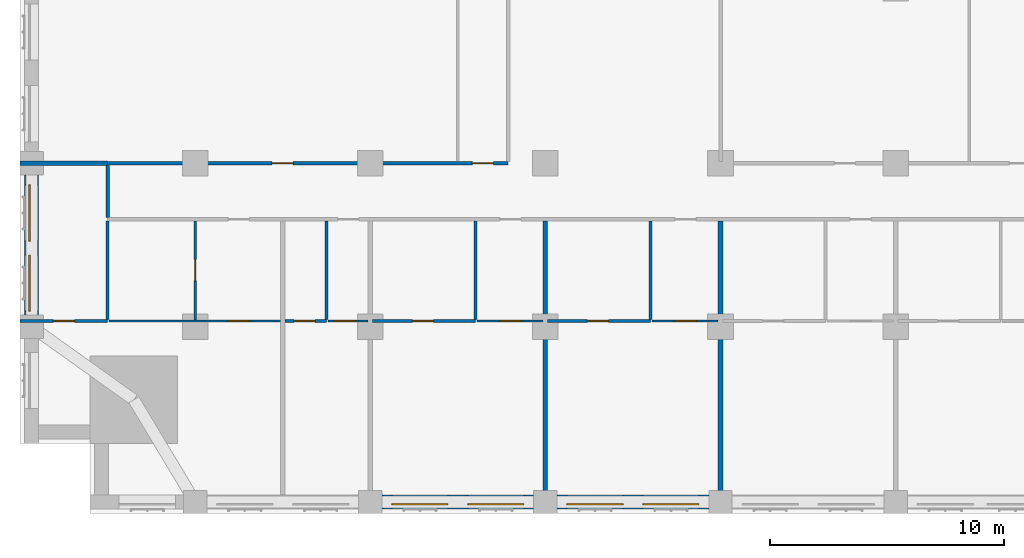
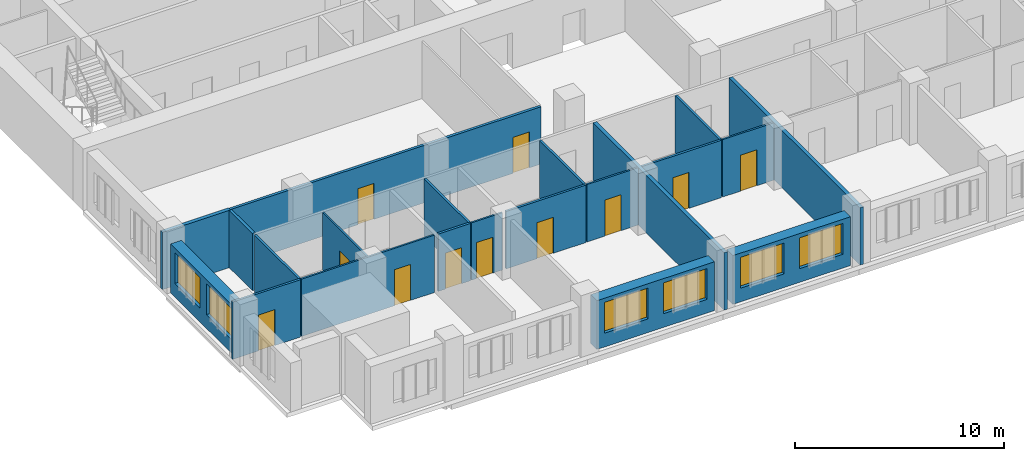
# One storey, part 4 of 14: 21 walls, 11 doors, 6 windows, 17 openings.
"""IFC4 building model written with IfcOpenShell, lengths in metres."""

from ifc_helpers import new_model, si_unit, direction, frame, frame_2d, origin, place, context, subcontext, project, spatial, rectangle, extrude, material, layer, layer_set, type_object, element, fill, save


model = new_model("IFC4")

# Units and contexts
model_context = context("Model", 3, precision=1e-05, world=origin(), true_north=direction((0.0, 1.0)))
body_context = subcontext(model_context, "Body", "Model", "MODEL_VIEW")
ifc_project = project(units=[si_unit("LENGTHUNIT", "METRE"), si_unit("AREAUNIT", "SQUARE_METRE"), si_unit("VOLUMEUNIT", "CUBIC_METRE"), si_unit("PLANEANGLEUNIT", "RADIAN"), si_unit("MASSUNIT", "GRAM", prefix="KILO")], contexts=[model_context])

# Site, building, storey
site_placement = place(None, origin())
site = spatial("IfcSite", under=ifc_project, at=site_placement, CompositionType="ELEMENT")
building_placement = place(site_placement, origin())
building = spatial("IfcBuilding", under=site, at=building_placement, Name="Tamorin Gate", CompositionType="ELEMENT")
storey_placement = place(building_placement, frame((0.0, 0.0, 86.300048828125)))
storey = spatial("IfcBuildingStorey", under=building, at=storey_placement, Name="L20", CompositionType="ELEMENT", Elevation=86.300048828125)

# Wall, openings, windows
ifc_material_1 = material(Name="Precast concrete C40/50", Category="concrete")
ifc_layer_1 = layer(ifc_material_1, 0.60009765625)
ifc_layer_set_1 = layer_set([ifc_layer_1], Name="Precast concrete C40/50")
wall_type_1 = type_object("IfcWallType", Name="Board-marked concrete facade panel 600", PredefinedType="SOLIDWALL", material=ifc_layer_set_1)
wall_1_placement = place(storey_placement, frame((45.5, 38.0, 0.0), z_axis=(0.0, 0.0, 1.0), x_axis=(1.0, 0.0, 0.0)))
wall_1 = element("IfcWall", 1, at=wall_1_placement, inside=storey, type_object=wall_type_1, Name="Facade panel", PredefinedType="SOLIDWALL", context=body_context, shape_type="SweptSolid", body=[
    extrude(rectangle(XDim=6.5, YDim=0.60009765625, at=frame_2d((3.25, 0.0))), origin(), (0.0, 0.0, 1.0), 2.849853515625),
])
opening_1_placement = place(wall_1_placement, frame((0.425048828125, 0.0, 0.800048828125)))
opening_1 = element("IfcOpeningElement", 2, at=opening_1_placement, cuts=wall_1, Name="Opening WN1", PredefinedType="OPENING", context=body_context, shape_type="SweptSolid", body=[
    extrude(rectangle(XDim=2.39990234375, YDim=1.800048828125, at=frame_2d((1.199951171875, 0.89990234375))), frame((0.0, 0.31005859375, 0.0), z_axis=(0.0, -1.0, 0.0), x_axis=(1.0, 0.0, 0.0)), (0.0, 0.0, 1.0), 0.6201171875),
])
opening_2_placement = place(wall_1_placement, frame((3.675048828125, 0.0, 0.800048828125)))
opening_2 = element("IfcOpeningElement", 3, at=opening_2_placement, cuts=wall_1, Name="Opening WN1", PredefinedType="OPENING", context=body_context, shape_type="SweptSolid", body=[
    extrude(rectangle(XDim=2.39990234375, YDim=1.800048828125, at=frame_2d((1.199951171875, 0.89990234375))), frame((0.0, 0.31005859375, 0.0), z_axis=(0.0, -1.0, 0.0), x_axis=(1.0, 0.0, 0.0)), (0.0, 0.0, 1.0), 0.6201171875),
])
ifc_material_2 = material(Name="Clear glass in aluminium frame", Category="aluminium")
window_type = type_object("IfcWindowType", Name="Deep-set window 2400x1800", PartitioningType="SINGLE_PANEL", PredefinedType="WINDOW", material=ifc_material_2)
window_1_placement = place(opening_1_placement, origin())
window_1 = element("IfcWindow", 4, at=window_1_placement, inside=storey, type_object=window_type, Name="Deep-set window", OverallHeight=1.800048828125, OverallWidth=2.39990234375, PartitioningType="SINGLE_PANEL", PredefinedType="WINDOW", context=body_context, shape_type="SweptSolid", body=[
    extrude(rectangle(XDim=2.39990234375, YDim=1.800048828125, at=frame_2d((1.199951171875, 0.89990234375))), frame((0.0, -0.070068359375, 0.0), z_axis=(0.0, -1.0, 0.0), x_axis=(1.0, 0.0, 0.0)), (0.0, 0.0, 1.0), 0.06005859375),
])
fill(opening_1, window_1)
window_2_placement = place(opening_2_placement, origin())
window_2 = element("IfcWindow", 5, at=window_2_placement, inside=storey, type_object=window_type, Name="Deep-set window", OverallHeight=1.800048828125, OverallWidth=2.39990234375, PartitioningType="SINGLE_PANEL", PredefinedType="WINDOW", context=body_context, shape_type="SweptSolid", body=[
    extrude(rectangle(XDim=2.39990234375, YDim=1.800048828125, at=frame_2d((1.199951171875, 0.89990234375))), frame((0.0, -0.070068359375, 0.0), z_axis=(0.0, -1.0, 0.0), x_axis=(1.0, 0.0, 0.0)), (0.0, 0.0, 1.0), 0.06005859375),
])
fill(opening_2, window_2)

wall_2_placement = place(storey_placement, frame((53.0, 38.0, 0.0), z_axis=(0.0, 0.0, 1.0), x_axis=(1.0, 0.0, 0.0)))
wall_2 = element("IfcWall", 6, at=wall_2_placement, inside=storey, type_object=wall_type_1, Name="Facade panel", PredefinedType="SOLIDWALL", context=body_context, shape_type="SweptSolid", body=[
    extrude(rectangle(XDim=6.5, YDim=0.60009765625, at=frame_2d((3.25, 0.0))), origin(), (0.0, 0.0, 1.0), 2.849853515625),
])
opening_3_placement = place(wall_2_placement, frame((0.425048828125, 0.0, 0.800048828125)))
opening_3 = element("IfcOpeningElement", 7, at=opening_3_placement, cuts=wall_2, Name="Opening WN1", PredefinedType="OPENING", context=body_context, shape_type="SweptSolid", body=[
    extrude(rectangle(XDim=2.39990234375, YDim=1.800048828125, at=frame_2d((1.199951171875, 0.89990234375))), frame((0.0, 0.31005859375, 0.0), z_axis=(0.0, -1.0, 0.0), x_axis=(1.0, 0.0, 0.0)), (0.0, 0.0, 1.0), 0.6201171875),
])
opening_4_placement = place(wall_2_placement, frame((3.675048828125, 0.0, 0.800048828125)))
opening_4 = element("IfcOpeningElement", 8, at=opening_4_placement, cuts=wall_2, Name="Opening WN1", PredefinedType="OPENING", context=body_context, shape_type="SweptSolid", body=[
    extrude(rectangle(XDim=2.39990234375, YDim=1.800048828125, at=frame_2d((1.199951171875, 0.89990234375))), frame((0.0, 0.31005859375, 0.0), z_axis=(0.0, -1.0, 0.0), x_axis=(1.0, 0.0, 0.0)), (0.0, 0.0, 1.0), 0.6201171875),
])
window_3_placement = place(opening_3_placement, origin())
window_3 = element("IfcWindow", 9, at=window_3_placement, inside=storey, type_object=window_type, Name="Deep-set window", OverallHeight=1.800048828125, OverallWidth=2.39990234375, PartitioningType="SINGLE_PANEL", PredefinedType="WINDOW", context=body_context, shape_type="SweptSolid", body=[
    extrude(rectangle(XDim=2.39990234375, YDim=1.800048828125, at=frame_2d((1.199951171875, 0.89990234375))), frame((0.0, -0.070068359375, 0.0), z_axis=(0.0, -1.0, 0.0), x_axis=(1.0, 0.0, 0.0)), (0.0, 0.0, 1.0), 0.06005859375),
])
fill(opening_3, window_3)
window_4_placement = place(opening_4_placement, origin())
window_4 = element("IfcWindow", 10, at=window_4_placement, inside=storey, type_object=window_type, Name="Deep-set window", OverallHeight=1.800048828125, OverallWidth=2.39990234375, PartitioningType="SINGLE_PANEL", PredefinedType="WINDOW", context=body_context, shape_type="SweptSolid", body=[
    extrude(rectangle(XDim=2.39990234375, YDim=1.800048828125, at=frame_2d((1.199951171875, 0.89990234375))), frame((0.0, -0.070068359375, 0.0), z_axis=(0.0, -1.0, 0.0), x_axis=(1.0, 0.0, 0.0)), (0.0, 0.0, 1.0), 0.06005859375),
])
fill(opening_4, window_4)

wall_3_placement = place(storey_placement, frame((30.5, 52.0, 0.0), z_axis=(0.0, 0.0, 1.0), x_axis=(0.0, -1.0, 0.0)))
wall_3 = element("IfcWall", 11, at=wall_3_placement, inside=storey, type_object=wall_type_1, Name="Facade panel", PredefinedType="SOLIDWALL", context=body_context, shape_type="SweptSolid", body=[
    extrude(rectangle(XDim=6.0, YDim=0.60009765625, at=frame_2d((3.0, 0.0))), origin(), (0.0, 0.0, 1.0), 2.849853515625),
])
opening_5_placement = place(wall_3_placement, frame((3.425048828125, 0.0, 0.800048828125)))
opening_5 = element("IfcOpeningElement", 12, at=opening_5_placement, cuts=wall_3, Name="Opening WN1", PredefinedType="OPENING", context=body_context, shape_type="SweptSolid", body=[
    extrude(rectangle(XDim=2.39990234375, YDim=1.800048828125, at=frame_2d((1.199951171875, 0.89990234375))), frame((0.0, 0.31005859375, 0.0), z_axis=(0.0, -1.0, 0.0), x_axis=(1.0, 0.0, 0.0)), (0.0, 0.0, 1.0), 0.6201171875),
])
opening_6_placement = place(wall_3_placement, frame((0.425048828125, 0.0, 0.800048828125)))
opening_6 = element("IfcOpeningElement", 13, at=opening_6_placement, cuts=wall_3, Name="Opening WN1", PredefinedType="OPENING", context=body_context, shape_type="SweptSolid", body=[
    extrude(rectangle(XDim=2.39990234375, YDim=1.800048828125, at=frame_2d((1.199951171875, 0.89990234375))), frame((0.0, 0.31005859375, 0.0), z_axis=(0.0, -1.0, 0.0), x_axis=(1.0, 0.0, 0.0)), (0.0, 0.0, 1.0), 0.6201171875),
])
window_5_placement = place(opening_5_placement, origin())
window_5 = element("IfcWindow", 14, at=window_5_placement, inside=storey, type_object=window_type, Name="Deep-set window", OverallHeight=1.800048828125, OverallWidth=2.39990234375, PartitioningType="SINGLE_PANEL", PredefinedType="WINDOW", context=body_context, shape_type="SweptSolid", body=[
    extrude(rectangle(XDim=2.39990234375, YDim=1.800048828125, at=frame_2d((1.199951171875, 0.89990234375))), frame((0.0, -0.070068359375, 0.0), z_axis=(0.0, -1.0, 0.0), x_axis=(1.0, 0.0, 0.0)), (0.0, 0.0, 1.0), 0.06005859375),
])
fill(opening_5, window_5)
window_6_placement = place(opening_6_placement, origin())
window_6 = element("IfcWindow", 15, at=window_6_placement, inside=storey, type_object=window_type, Name="Deep-set window", OverallHeight=1.800048828125, OverallWidth=2.39990234375, PartitioningType="SINGLE_PANEL", PredefinedType="WINDOW", context=body_context, shape_type="SweptSolid", body=[
    extrude(rectangle(XDim=2.39990234375, YDim=1.800048828125, at=frame_2d((1.199951171875, 0.89990234375))), frame((0.0, -0.070068359375, 0.0), z_axis=(0.0, -1.0, 0.0), x_axis=(1.0, 0.0, 0.0)), (0.0, 0.0, 1.0), 0.06005859375),
])
fill(opening_6, window_6)

# Wall, openings, doors
ifc_material_3 = material(Name="Gypsum board partition")
ifc_layer_2 = layer(ifc_material_3, 0.14990234375)
ifc_layer_set_2 = layer_set([ifc_layer_2], Name="Corridor wall 150")
wall_type_2 = type_object("IfcWallType", Name="Corridor wall 150", PredefinedType="PARTITIONING", material=ifc_layer_set_2)
wall_4_placement = place(storey_placement, frame((33.75, 52.5, 0.0), z_axis=(0.0, 0.0, 1.0), x_axis=(1.0, 0.0, 0.0)))
wall_4 = element("IfcWall", 16, at=wall_4_placement, inside=storey, type_object=wall_type_2, Name="Corridor wall 150", PredefinedType="PARTITIONING", context=body_context, shape_type="SweptSolid", body=[
    extrude(rectangle(XDim=17.14990234375, YDim=0.14990234375, at=frame_2d((8.574951171875, 0.0))), origin(), (0.0, 0.0, 1.0), 3.349853515625),
])
opening_7_placement = place(wall_4_placement, frame((7.050048828125, 0.0, 0.0)))
opening_7 = element("IfcOpeningElement", 17, at=opening_7_placement, cuts=wall_4, Name="Opening DH7066", PredefinedType="OPENING", context=body_context, shape_type="SweptSolid", body=[
    extrude(rectangle(XDim=0.89990234375, YDim=2.10009765625, at=frame_2d((0.449951171875, 1.050048828125))), frame((0.0, 0.0849609375, 0.0), z_axis=(0.0, -1.0, 0.0), x_axis=(1.0, 0.0, 0.0)), (0.0, 0.0, 1.0), 0.169921875),
])
opening_8_placement = place(wall_4_placement, frame((15.625, 0.0, 0.0)))
opening_8 = element("IfcOpeningElement", 18, at=opening_8_placement, cuts=wall_4, Name="Opening DH7067", PredefinedType="OPENING", context=body_context, shape_type="SweptSolid", body=[
    extrude(rectangle(XDim=0.89990234375, YDim=2.10009765625, at=frame_2d((0.449951171875, 1.050048828125))), frame((0.0, 0.0849609375, 0.0), z_axis=(0.0, -1.0, 0.0), x_axis=(1.0, 0.0, 0.0)), (0.0, 0.0, 1.0), 0.169921875),
])
ifc_material_4 = material(Name="Timber door leaf", Category="wood")
door_type_1 = type_object("IfcDoorType", Name="Door 900 x 2100 FD30S", OperationType="NOTDEFINED", PredefinedType="DOOR", material=ifc_material_4)
door_1_placement = place(opening_7_placement, origin())
door_1 = element("IfcDoor", 19, at=door_1_placement, inside=storey, type_object=door_type_1, Name="Door DH7066", OperationType="SINGLE_SWING_LEFT", OverallHeight=2.10009765625, OverallWidth=0.89990234375, PredefinedType="DOOR", context=body_context, shape_type="SweptSolid", body=[
    extrude(rectangle(XDim=0.89990234375, YDim=2.10009765625, at=frame_2d((0.449951171875, 1.050048828125))), frame((0.0, 0.02490234375, 0.0), z_axis=(0.0, -1.0, 0.0), x_axis=(1.0, 0.0, 0.0)), (0.0, 0.0, 1.0), 0.050048828125),
])
fill(opening_7, door_1)
door_2_placement = place(opening_8_placement, origin())
door_2 = element("IfcDoor", 20, at=door_2_placement, inside=storey, type_object=door_type_1, Name="Door DH7067", OperationType="SINGLE_SWING_LEFT", OverallHeight=2.10009765625, OverallWidth=0.89990234375, PredefinedType="DOOR", context=body_context, shape_type="SweptSolid", body=[
    extrude(rectangle(XDim=0.89990234375, YDim=2.10009765625, at=frame_2d((0.449951171875, 1.050048828125))), frame((0.0, 0.02490234375, 0.0), z_axis=(0.0, -1.0, 0.0), x_axis=(1.0, 0.0, 0.0)), (0.0, 0.0, 1.0), 0.050048828125),
])
fill(opening_8, door_2)

# Walls
wall_5_placement = place(storey_placement, frame((33.75, 50.175048828125, 0.0), z_axis=(0.0, 0.0, 1.0), x_axis=(0.0, 1.0, 0.0)))
element("IfcWall", 21, at=wall_5_placement, inside=storey, type_object=wall_type_2, Name="Corridor wall 150", PredefinedType="PARTITIONING", context=body_context, shape_type="SweptSolid", body=[
    extrude(rectangle(XDim=2.224853515625, YDim=0.14990234375, at=frame_2d((1.1123046875, 0.0))), origin(), (0.0, 0.0, 1.0), 3.349853515625),
])
ifc_layer_3 = layer(ifc_material_3, 0.199951171875)
ifc_layer_set_3 = layer_set([ifc_layer_3], Name="Demising wall 200")
wall_type_3 = type_object("IfcWallType", Name="Demising wall 200", PredefinedType="PARTITIONING", material=ifc_layer_set_3)
wall_6_placement = place(storey_placement, frame((30.0, 52.5, 0.0), z_axis=(0.0, 0.0, 1.0), x_axis=(1.0, 0.0, 0.0)))
element("IfcWall", 22, at=wall_6_placement, inside=storey, type_object=wall_type_3, Name="Demising wall 200", PredefinedType="PARTITIONING", context=body_context, shape_type="SweptSolid", body=[
    extrude(rectangle(XDim=3.75, YDim=0.199951171875, at=frame_2d((1.875, 0.0))), origin(), (0.0, 0.0, 1.0), 3.349853515625),
])
for number, where, z_axis, x_axis, name in (
    (23, (52.5, 37.5, 0.0), (0.0, 0.0, 1.0), (0.0, 1.0, 0.0), "Demising wall 200"),
    (24, (60.0, 37.5, 0.0), (0.0, 0.0, 1.0), (0.0, 1.0, 0.0), "Demising wall 200"),
):
    element("IfcWall", number, at=place(storey_placement, frame(where, z_axis=z_axis, x_axis=x_axis)), inside=storey, type_object=wall_type_3, Name=name, PredefinedType="PARTITIONING", context=body_context, shape_type="SweptSolid", body=[
        extrude(rectangle(XDim=12.52490234375, YDim=0.199951171875, at=frame_2d((6.262451171875, 0.0))), origin(), (0.0, 0.0, 1.0), 3.349853515625),
    ])

# Wall, opening, door
ifc_layer_4 = layer(ifc_material_3, 0.10009765625)
ifc_layer_set_4 = layer_set([ifc_layer_4], Name="Room partition 100")
wall_type_4 = type_object("IfcWallType", Name="Room partition 100", PredefinedType="PARTITIONING", material=ifc_layer_set_4)
wall_7_placement = place(storey_placement, frame((33.8125, 45.75, 0.0), z_axis=(0.0, 0.0, 1.0), x_axis=(1.0, 0.0, 0.0)))
wall_7 = element("IfcWall", 25, at=wall_7_placement, inside=storey, type_object=wall_type_4, Name="Room partition 100", PredefinedType="PARTITIONING", context=body_context, shape_type="SweptSolid", body=[
    extrude(rectangle(XDim=7.33740234375, YDim=0.10009765625, at=frame_2d((3.668701171875, 0.0))), origin(), (0.0, 0.0, 1.0), 3.349853515625),
])
opening_9_placement = place(wall_7_placement, frame((5.112548828125, 0.0, 0.0)))
opening_9 = element("IfcOpeningElement", 26, at=opening_9_placement, cuts=wall_7, Name="Opening DH7004", PredefinedType="OPENING", context=body_context, shape_type="SweptSolid", body=[
    extrude(rectangle(XDim=0.89990234375, YDim=2.10009765625, at=frame_2d((0.449951171875, 1.050048828125))), frame((0.0, 0.06005859375, 0.0), z_axis=(0.0, -1.0, 0.0), x_axis=(1.0, 0.0, 0.0)), (0.0, 0.0, 1.0), 0.1201171875),
])
door_type_2 = type_object("IfcDoorType", Name="Door 900 x 2100", OperationType="NOTDEFINED", PredefinedType="DOOR", material=ifc_material_4)
door_3_placement = place(opening_9_placement, origin())
door_3 = element("IfcDoor", 27, at=door_3_placement, inside=storey, type_object=door_type_2, Name="Door DH7004", OperationType="SINGLE_SWING_LEFT", OverallHeight=2.10009765625, OverallWidth=0.89990234375, PredefinedType="DOOR", context=body_context, shape_type="SweptSolid", body=[
    extrude(rectangle(XDim=0.89990234375, YDim=2.10009765625, at=frame_2d((0.449951171875, 1.050048828125))), frame((0.0, 0.02490234375, 0.0), z_axis=(0.0, -1.0, 0.0), x_axis=(1.0, 0.0, 0.0)), (0.0, 0.0, 1.0), 0.050048828125),
])
fill(opening_9, door_3)

wall_8_placement = place(storey_placement, frame((43.1875, 45.75, 0.0), z_axis=(0.0, 0.0, 1.0), x_axis=(1.0, 0.0, 0.0)))
wall_8 = element("IfcWall", 28, at=wall_8_placement, inside=storey, type_object=wall_type_4, Name="Room partition 100", PredefinedType="PARTITIONING", context=body_context, shape_type="SweptSolid", body=[
    extrude(rectangle(XDim=1.71240234375, YDim=0.10009765625, at=frame_2d((0.856201171875, 0.0))), origin(), (0.0, 0.0, 1.0), 3.349853515625),
])
opening_10_placement = place(wall_8_placement, frame((0.27490234375, 0.0, 0.0)))
opening_10 = element("IfcOpeningElement", 29, at=opening_10_placement, cuts=wall_8, Name="Opening DH7007", PredefinedType="OPENING", context=body_context, shape_type="SweptSolid", body=[
    extrude(rectangle(XDim=0.89990234375, YDim=2.10009765625, at=frame_2d((0.449951171875, 1.050048828125))), frame((0.0, 0.06005859375, 0.0), z_axis=(0.0, -1.0, 0.0), x_axis=(1.0, 0.0, 0.0)), (0.0, 0.0, 1.0), 0.1201171875),
])
door_4_placement = place(opening_10_placement, origin())
door_4 = element("IfcDoor", 30, at=door_4_placement, inside=storey, type_object=door_type_2, Name="Door DH7007", OperationType="SINGLE_SWING_LEFT", OverallHeight=2.10009765625, OverallWidth=0.89990234375, PredefinedType="DOOR", context=body_context, shape_type="SweptSolid", body=[
    extrude(rectangle(XDim=0.89990234375, YDim=2.10009765625, at=frame_2d((0.449951171875, 1.050048828125))), frame((0.0, 0.02490234375, 0.0), z_axis=(0.0, -1.0, 0.0), x_axis=(1.0, 0.0, 0.0)), (0.0, 0.0, 1.0), 0.050048828125),
])
fill(opening_10, door_4)

wall_9_placement = place(storey_placement, frame((49.5625, 45.75, 0.0), z_axis=(0.0, 0.0, 1.0), x_axis=(1.0, 0.0, 0.0)))
wall_9 = element("IfcWall", 31, at=wall_9_placement, inside=storey, type_object=wall_type_4, Name="Room partition 100", PredefinedType="PARTITIONING", context=body_context, shape_type="SweptSolid", body=[
    extrude(rectangle(XDim=2.83740234375, YDim=0.10009765625, at=frame_2d((1.418701171875, 0.0))), origin(), (0.0, 0.0, 1.0), 3.349853515625),
])
opening_11_placement = place(wall_9_placement, frame((0.987548828125, 0.0, 0.0)))
opening_11 = element("IfcOpeningElement", 32, at=opening_11_placement, cuts=wall_9, Name="Opening DH7010", PredefinedType="OPENING", context=body_context, shape_type="SweptSolid", body=[
    extrude(rectangle(XDim=0.89990234375, YDim=2.10009765625, at=frame_2d((0.449951171875, 1.050048828125))), frame((0.0, 0.06005859375, 0.0), z_axis=(0.0, -1.0, 0.0), x_axis=(1.0, 0.0, 0.0)), (0.0, 0.0, 1.0), 0.1201171875),
])
door_5_placement = place(opening_11_placement, origin())
door_5 = element("IfcDoor", 33, at=door_5_placement, inside=storey, type_object=door_type_2, Name="Door DH7010", OperationType="SINGLE_SWING_LEFT", OverallHeight=2.10009765625, OverallWidth=0.89990234375, PredefinedType="DOOR", context=body_context, shape_type="SweptSolid", body=[
    extrude(rectangle(XDim=0.89990234375, YDim=2.10009765625, at=frame_2d((0.449951171875, 1.050048828125))), frame((0.0, 0.02490234375, 0.0), z_axis=(0.0, -1.0, 0.0), x_axis=(1.0, 0.0, 0.0)), (0.0, 0.0, 1.0), 0.050048828125),
])
fill(opening_11, door_5)

wall_10_placement = place(storey_placement, frame((57.0625, 45.75, 0.0), z_axis=(0.0, 0.0, 1.0), x_axis=(1.0, 0.0, 0.0)))
wall_10 = element("IfcWall", 34, at=wall_10_placement, inside=storey, type_object=wall_type_4, Name="Room partition 100", PredefinedType="PARTITIONING", context=body_context, shape_type="SweptSolid", body=[
    extrude(rectangle(XDim=2.83740234375, YDim=0.10009765625, at=frame_2d((1.418701171875, 0.0))), origin(), (0.0, 0.0, 1.0), 3.349853515625),
])
opening_12_placement = place(wall_10_placement, frame((0.987548828125, 0.0, 0.0)))
opening_12 = element("IfcOpeningElement", 35, at=opening_12_placement, cuts=wall_10, Name="Opening DH7013", PredefinedType="OPENING", context=body_context, shape_type="SweptSolid", body=[
    extrude(rectangle(XDim=0.89990234375, YDim=2.10009765625, at=frame_2d((0.449951171875, 1.050048828125))), frame((0.0, 0.06005859375, 0.0), z_axis=(0.0, -1.0, 0.0), x_axis=(1.0, 0.0, 0.0)), (0.0, 0.0, 1.0), 0.1201171875),
])
door_6_placement = place(opening_12_placement, origin())
door_6 = element("IfcDoor", 36, at=door_6_placement, inside=storey, type_object=door_type_2, Name="Door DH7013", OperationType="SINGLE_SWING_LEFT", OverallHeight=2.10009765625, OverallWidth=0.89990234375, PredefinedType="DOOR", context=body_context, shape_type="SweptSolid", body=[
    extrude(rectangle(XDim=0.89990234375, YDim=2.10009765625, at=frame_2d((0.449951171875, 1.050048828125))), frame((0.0, 0.02490234375, 0.0), z_axis=(0.0, -1.0, 0.0), x_axis=(1.0, 0.0, 0.0)), (0.0, 0.0, 1.0), 0.050048828125),
])
fill(opening_12, door_6)

wall_11_placement = place(storey_placement, frame((37.5, 45.800048828125, 0.0), z_axis=(0.0, 0.0, 1.0), x_axis=(0.0, 1.0, 0.0)))
wall_11 = element("IfcWall", 37, at=wall_11_placement, inside=storey, type_object=wall_type_4, Name="Room partition 100", PredefinedType="PARTITIONING", context=body_context, shape_type="SweptSolid", body=[
    extrude(rectangle(XDim=4.224853515625, YDim=0.10009765625, at=frame_2d((2.1123046875, 0.0))), origin(), (0.0, 0.0, 1.0), 3.349853515625),
])
opening_13_placement = place(wall_11_placement, frame((1.675048828125, 0.0, 0.0)))
opening_13 = element("IfcOpeningElement", 38, at=opening_13_placement, cuts=wall_11, Name="Opening DH7002", PredefinedType="OPENING", context=body_context, shape_type="SweptSolid", body=[
    extrude(rectangle(XDim=0.89990234375, YDim=2.10009765625, at=frame_2d((0.449951171875, 1.050048828125))), frame((0.0, 0.06005859375, 0.0), z_axis=(0.0, -1.0, 0.0), x_axis=(1.0, 0.0, 0.0)), (0.0, 0.0, 1.0), 0.1201171875),
])
door_7_placement = place(opening_13_placement, origin())
door_7 = element("IfcDoor", 39, at=door_7_placement, inside=storey, type_object=door_type_2, Name="Door DH7002", OperationType="SINGLE_SWING_RIGHT", OverallHeight=2.10009765625, OverallWidth=0.89990234375, PredefinedType="DOOR", context=body_context, shape_type="SweptSolid", body=[
    extrude(rectangle(XDim=0.89990234375, YDim=2.10009765625, at=frame_2d((0.449951171875, 1.050048828125))), frame((0.0, 0.02490234375, 0.0), z_axis=(0.0, -1.0, 0.0), x_axis=(1.0, 0.0, 0.0)), (0.0, 0.0, 1.0), 0.050048828125),
])
fill(opening_13, door_7)

ifc_layer_5 = layer(ifc_material_3, 0.125)
ifc_layer_set_5 = layer_set([ifc_layer_5], Name="Wet wall 125")
wall_type_5 = type_object("IfcWallType", Name="Wet wall 125", PredefinedType="PARTITIONING", material=ifc_layer_set_5)
wall_12_placement = place(storey_placement, frame((30.0, 45.75, 0.0), z_axis=(0.0, 0.0, 1.0), x_axis=(1.0, 0.0, 0.0)))
wall_12 = element("IfcWall", 40, at=wall_12_placement, inside=storey, type_object=wall_type_5, Name="Wet wall 125", PredefinedType="PARTITIONING", context=body_context, shape_type="SweptSolid", body=[
    extrude(rectangle(XDim=3.75, YDim=0.125, at=frame_2d((1.875, 0.0))), origin(), (0.0, 0.0, 1.0), 3.349853515625),
])
opening_14_placement = place(wall_12_placement, frame((1.425048828125, 0.0, 0.0)))
opening_14 = element("IfcOpeningElement", 41, at=opening_14_placement, cuts=wall_12, Name="Opening DH7001", PredefinedType="OPENING", context=body_context, shape_type="SweptSolid", body=[
    extrude(rectangle(XDim=0.89990234375, YDim=2.10009765625, at=frame_2d((0.449951171875, 1.050048828125))), frame((0.0, 0.072509765625, 0.0), z_axis=(0.0, -1.0, 0.0), x_axis=(1.0, 0.0, 0.0)), (0.0, 0.0, 1.0), 0.14501953125),
])
door_8_placement = place(opening_14_placement, origin())
door_8 = element("IfcDoor", 42, at=door_8_placement, inside=storey, type_object=door_type_2, Name="Door DH7001", OperationType="SINGLE_SWING_LEFT", OverallHeight=2.10009765625, OverallWidth=0.89990234375, PredefinedType="DOOR", context=body_context, shape_type="SweptSolid", body=[
    extrude(rectangle(XDim=0.89990234375, YDim=2.10009765625, at=frame_2d((0.449951171875, 1.050048828125))), frame((0.0, 0.02490234375, 0.0), z_axis=(0.0, -1.0, 0.0), x_axis=(1.0, 0.0, 0.0)), (0.0, 0.0, 1.0), 0.050048828125),
])
fill(opening_14, door_8)

wall_13_placement = place(storey_placement, frame((41.35009765625, 45.75, 0.0), z_axis=(0.0, 0.0, 1.0), x_axis=(1.0, 0.0, 0.0)))
wall_13 = element("IfcWall", 43, at=wall_13_placement, inside=storey, type_object=wall_type_5, Name="Wet wall 125", PredefinedType="PARTITIONING", context=body_context, shape_type="SweptSolid", body=[
    extrude(rectangle(XDim=1.77490234375, YDim=0.125, at=frame_2d((0.887451171875, 0.0))), origin(), (0.0, 0.0, 1.0), 3.349853515625),
])
opening_15_placement = place(wall_13_placement, frame((0.387451171875, 0.0, 0.0)))
opening_15 = element("IfcOpeningElement", 44, at=opening_15_placement, cuts=wall_13, Name="Opening DH7005", PredefinedType="OPENING", context=body_context, shape_type="SweptSolid", body=[
    extrude(rectangle(XDim=0.89990234375, YDim=2.10009765625, at=frame_2d((0.449951171875, 1.050048828125))), frame((0.0, 0.072509765625, 0.0), z_axis=(0.0, -1.0, 0.0), x_axis=(1.0, 0.0, 0.0)), (0.0, 0.0, 1.0), 0.14501953125),
])
door_9_placement = place(opening_15_placement, origin())
door_9 = element("IfcDoor", 45, at=door_9_placement, inside=storey, type_object=door_type_2, Name="Door DH7005", OperationType="SINGLE_SWING_LEFT", OverallHeight=2.10009765625, OverallWidth=0.89990234375, PredefinedType="DOOR", context=body_context, shape_type="SweptSolid", body=[
    extrude(rectangle(XDim=0.89990234375, YDim=2.10009765625, at=frame_2d((0.449951171875, 1.050048828125))), frame((0.0, 0.02490234375, 0.0), z_axis=(0.0, -1.0, 0.0), x_axis=(1.0, 0.0, 0.0)), (0.0, 0.0, 1.0), 0.050048828125),
])
fill(opening_15, door_9)

wall_14_placement = place(storey_placement, frame((45.10009765625, 45.75, 0.0), z_axis=(0.0, 0.0, 1.0), x_axis=(1.0, 0.0, 0.0)))
wall_14 = element("IfcWall", 46, at=wall_14_placement, inside=storey, type_object=wall_type_5, Name="Wet wall 125", PredefinedType="PARTITIONING", context=body_context, shape_type="SweptSolid", body=[
    extrude(rectangle(XDim=4.39990234375, YDim=0.125, at=frame_2d((2.199951171875, 0.0))), origin(), (0.0, 0.0, 1.0), 3.349853515625),
])
opening_16_placement = place(wall_14_placement, frame((1.699951171875, 0.0, 0.0)))
opening_16 = element("IfcOpeningElement", 47, at=opening_16_placement, cuts=wall_14, Name="Opening DH7008", PredefinedType="OPENING", context=body_context, shape_type="SweptSolid", body=[
    extrude(rectangle(XDim=0.89990234375, YDim=2.10009765625, at=frame_2d((0.449951171875, 1.050048828125))), frame((0.0, 0.072509765625, 0.0), z_axis=(0.0, -1.0, 0.0), x_axis=(1.0, 0.0, 0.0)), (0.0, 0.0, 1.0), 0.14501953125),
])
door_10_placement = place(opening_16_placement, origin())
door_10 = element("IfcDoor", 48, at=door_10_placement, inside=storey, type_object=door_type_2, Name="Door DH7008", OperationType="SINGLE_SWING_LEFT", OverallHeight=2.10009765625, OverallWidth=0.89990234375, PredefinedType="DOOR", context=body_context, shape_type="SweptSolid", body=[
    extrude(rectangle(XDim=0.89990234375, YDim=2.10009765625, at=frame_2d((0.449951171875, 1.050048828125))), frame((0.0, 0.02490234375, 0.0), z_axis=(0.0, -1.0, 0.0), x_axis=(1.0, 0.0, 0.0)), (0.0, 0.0, 1.0), 0.050048828125),
])
fill(opening_16, door_10)

wall_15_placement = place(storey_placement, frame((52.60009765625, 45.75, 0.0), z_axis=(0.0, 0.0, 1.0), x_axis=(1.0, 0.0, 0.0)))
wall_15 = element("IfcWall", 49, at=wall_15_placement, inside=storey, type_object=wall_type_5, Name="Wet wall 125", PredefinedType="PARTITIONING", context=body_context, shape_type="SweptSolid", body=[
    extrude(rectangle(XDim=4.39990234375, YDim=0.125, at=frame_2d((2.199951171875, 0.0))), origin(), (0.0, 0.0, 1.0), 3.349853515625),
])
opening_17_placement = place(wall_15_placement, frame((1.699951171875, 0.0, 0.0)))
opening_17 = element("IfcOpeningElement", 50, at=opening_17_placement, cuts=wall_15, Name="Opening DH7011", PredefinedType="OPENING", context=body_context, shape_type="SweptSolid", body=[
    extrude(rectangle(XDim=0.89990234375, YDim=2.10009765625, at=frame_2d((0.449951171875, 1.050048828125))), frame((0.0, 0.072509765625, 0.0), z_axis=(0.0, -1.0, 0.0), x_axis=(1.0, 0.0, 0.0)), (0.0, 0.0, 1.0), 0.14501953125),
])
door_11_placement = place(opening_17_placement, origin())
door_11 = element("IfcDoor", 51, at=door_11_placement, inside=storey, type_object=door_type_2, Name="Door DH7011", OperationType="SINGLE_SWING_LEFT", OverallHeight=2.10009765625, OverallWidth=0.89990234375, PredefinedType="DOOR", context=body_context, shape_type="SweptSolid", body=[
    extrude(rectangle(XDim=0.89990234375, YDim=2.10009765625, at=frame_2d((0.449951171875, 1.050048828125))), frame((0.0, 0.02490234375, 0.0), z_axis=(0.0, -1.0, 0.0), x_axis=(1.0, 0.0, 0.0)), (0.0, 0.0, 1.0), 0.050048828125),
])
fill(opening_17, door_11)

# Walls
for number, where, z_axis, x_axis, name in (
    (52, (33.75, 45.8125, 0.0), (0.0, 0.0, 1.0), (0.0, 1.0, 0.0), "Wet wall 125"),
    (53, (43.125, 45.8125, 0.0), (0.0, 0.0, 1.0), (0.0, 1.0, 0.0), "Wet wall 125"),
    (54, (49.5, 45.8125, 0.0), (0.0, 0.0, 1.0), (0.0, 1.0, 0.0), "Wet wall 125"),
    (55, (57.0, 45.8125, 0.0), (0.0, 0.0, 1.0), (0.0, 1.0, 0.0), "Wet wall 125"),
):
    element("IfcWall", number, at=place(storey_placement, frame(where, z_axis=z_axis, x_axis=x_axis)), inside=storey, type_object=wall_type_5, Name=name, PredefinedType="PARTITIONING", context=body_context, shape_type="SweptSolid", body=[
        extrude(rectangle(XDim=4.21240234375, YDim=0.125, at=frame_2d((2.106201171875, 0.0))), origin(), (0.0, 0.0, 1.0), 3.349853515625),
    ])

save(model, "model.ifc")
